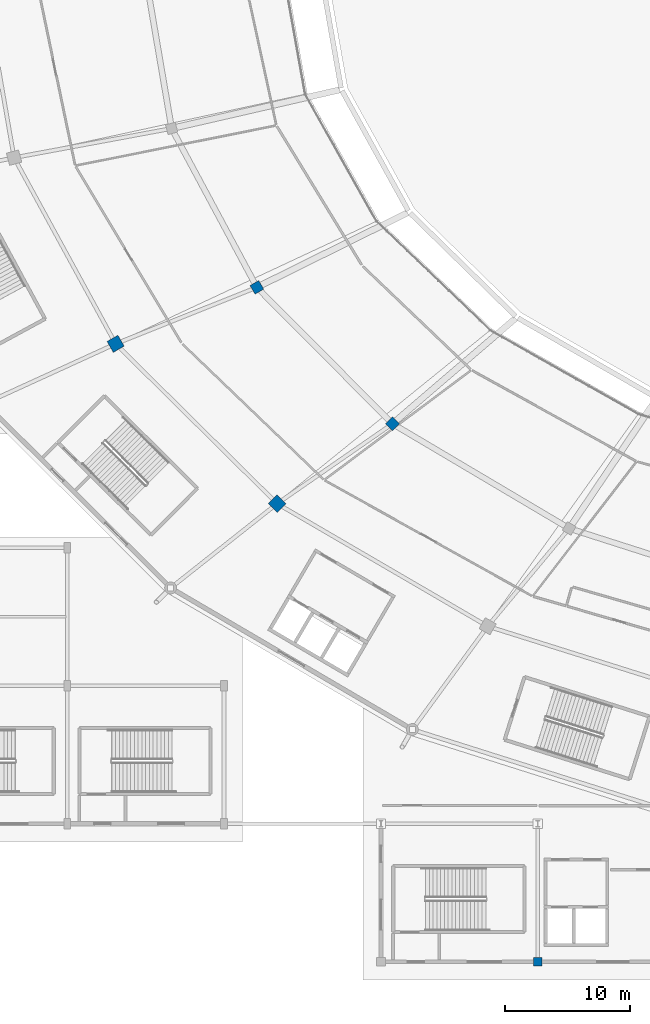
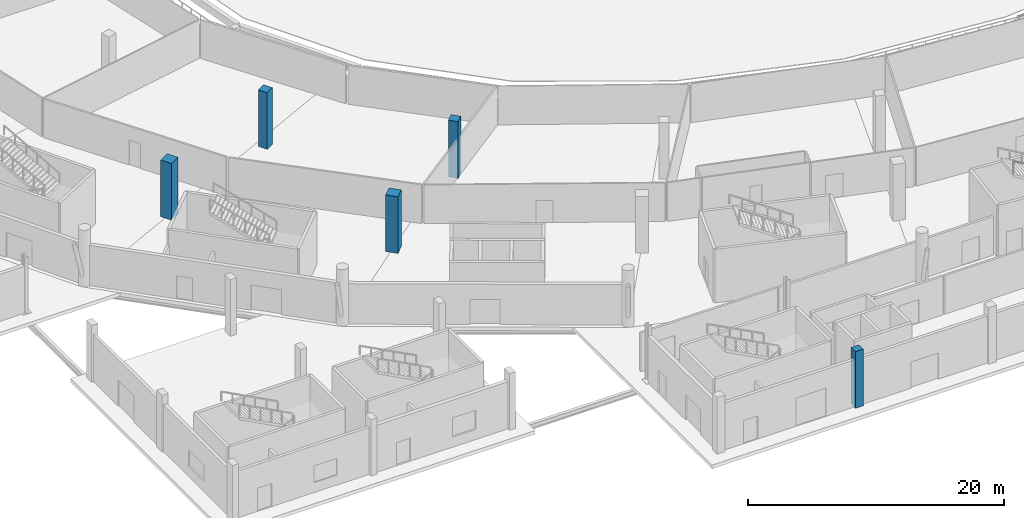
# One storey, part 3 of 82: 5 columns.
"""IFC4 building model written with IfcOpenShell, lengths in metres."""

from ifc_helpers import new_model, si_unit, direction, frame, origin, origin_2d, place, context, subcontext, project, spatial, rectangle, extrude, material, material_profile, profile_set, type_object, element, save


model = new_model("IFC4")

# Units and contexts
model_context = context("Model", 3, precision=1e-05, world=origin(), true_north=direction((0.0, 1.0)))
body_context = subcontext(model_context, "Body", "Model", "MODEL_VIEW")
ifc_project = project(units=[si_unit("LENGTHUNIT", "METRE"), si_unit("AREAUNIT", "SQUARE_METRE"), si_unit("VOLUMEUNIT", "CUBIC_METRE"), si_unit("PLANEANGLEUNIT", "RADIAN"), si_unit("MASSUNIT", "GRAM", prefix="KILO")], contexts=[model_context])

# Site, building, storey
site_placement = place(None, origin())
site = spatial("IfcSite", under=ifc_project, at=site_placement, CompositionType="ELEMENT")
building_placement = place(site_placement, origin())
building = spatial("IfcBuilding", under=site, at=building_placement, Name="Zlatoyarsky Gate Stadium", CompositionType="ELEMENT")
storey_placement = place(building_placement, origin())
storey = spatial("IfcBuildingStorey", under=building, at=storey_placement, Name="L00", CompositionType="ELEMENT", Elevation=0.0)

# Columns
ifc_material = material(Name="Concrete C40/50", Category="concrete")
ifc_material_profile_1 = material_profile(ifc_material, rectangle(XDim=1.0, YDim=1.0, at=origin_2d()), Name="RC COL 1000X1000")
ifc_profile_set_1 = profile_set([ifc_material_profile_1], Name="Concrete C40/50")
column_type_1 = type_object("IfcColumnType", Name="CONCRETE COLUMN 1000X1000", PredefinedType="COLUMN", material=ifc_profile_set_1)
for number, where, z_axis, x_axis, name in (
    (1, (40.851806640625, 49.25, 0.0), (0.0, 0.0, 1.0), (-0.866025403784, -0.5, 0.0), "Column RC-C100 RB-14 on L00"),
    (2, (53.724365234375, 36.512939453125, 0.0), (0.0, 0.0, 1.0), (-0.707106781187, -0.707106781187, 0.0), "Column RC-C100 RB-15 on L00"),
):
    element("IfcColumn", number, at=place(storey_placement, frame(where, z_axis=z_axis, x_axis=x_axis)), inside=storey, type_object=column_type_1, Name=name, PredefinedType="COLUMN", context=body_context, shape_type="SweptSolid", body=[
        extrude(rectangle(XDim=1.0, YDim=1.0, at=origin_2d()), origin(), (0.0, 0.0, 1.0), 5.39990234375),
    ])
ifc_material_profile_2 = material_profile(ifc_material, rectangle(XDim=0.699951171875, YDim=0.699951171875, at=origin_2d()), Name="RC COL 700X700")
ifc_profile_set_2 = profile_set([ifc_material_profile_2], Name="Concrete C40/50")
column_type_2 = type_object("IfcColumnType", Name="CONCRETE COLUMN 700X700", PredefinedType="COLUMN", material=ifc_profile_set_2)
column_placement = place(storey_placement, frame((74.5, 0.0, 0.0), z_axis=(0.0, 0.0, 1.0), x_axis=(1.0, 0.0, 0.0)))
element("IfcColumn", 3, at=column_placement, inside=storey, type_object=column_type_2, Name="Column RC-C70 WG-7-A on L00", PredefinedType="COLUMN", context=body_context, shape_type="SweptSolid", body=[
    extrude(rectangle(XDim=0.699951171875, YDim=0.699951171875, at=origin_2d()), origin(), (0.0, 0.0, 1.0), 5.39990234375),
])
ifc_material_profile_3 = material_profile(ifc_material, rectangle(XDim=0.800048828125, YDim=0.800048828125, at=origin_2d()), Name="RC COL 800X800")
ifc_profile_set_3 = profile_set([ifc_material_profile_3], Name="Concrete C40/50")
column_type_3 = type_object("IfcColumnType", Name="CONCRETE COLUMN 800X800", PredefinedType="COLUMN", material=ifc_profile_set_3)
for number, where, z_axis, x_axis, name in (
    (4, (52.1103515625, 53.75, 0.0), (0.0, 0.0, 1.0), (-0.866025403784, -0.5, 0.0), "Column RC-C80 RA-14 on L00"),
    (5, (62.916748046875, 42.876953125, 0.0), (0.0, 0.0, 1.0), (-0.707106781187, -0.707106781187, 0.0), "Column RC-C80 RA-15 on L00"),
):
    element("IfcColumn", number, at=place(storey_placement, frame(where, z_axis=z_axis, x_axis=x_axis)), inside=storey, type_object=column_type_3, Name=name, PredefinedType="COLUMN", context=body_context, shape_type="SweptSolid", body=[
        extrude(rectangle(XDim=0.800048828125, YDim=0.800048828125, at=origin_2d()), origin(), (0.0, 0.0, 1.0), 5.39990234375),
    ])

save(model, "model.ifc")
